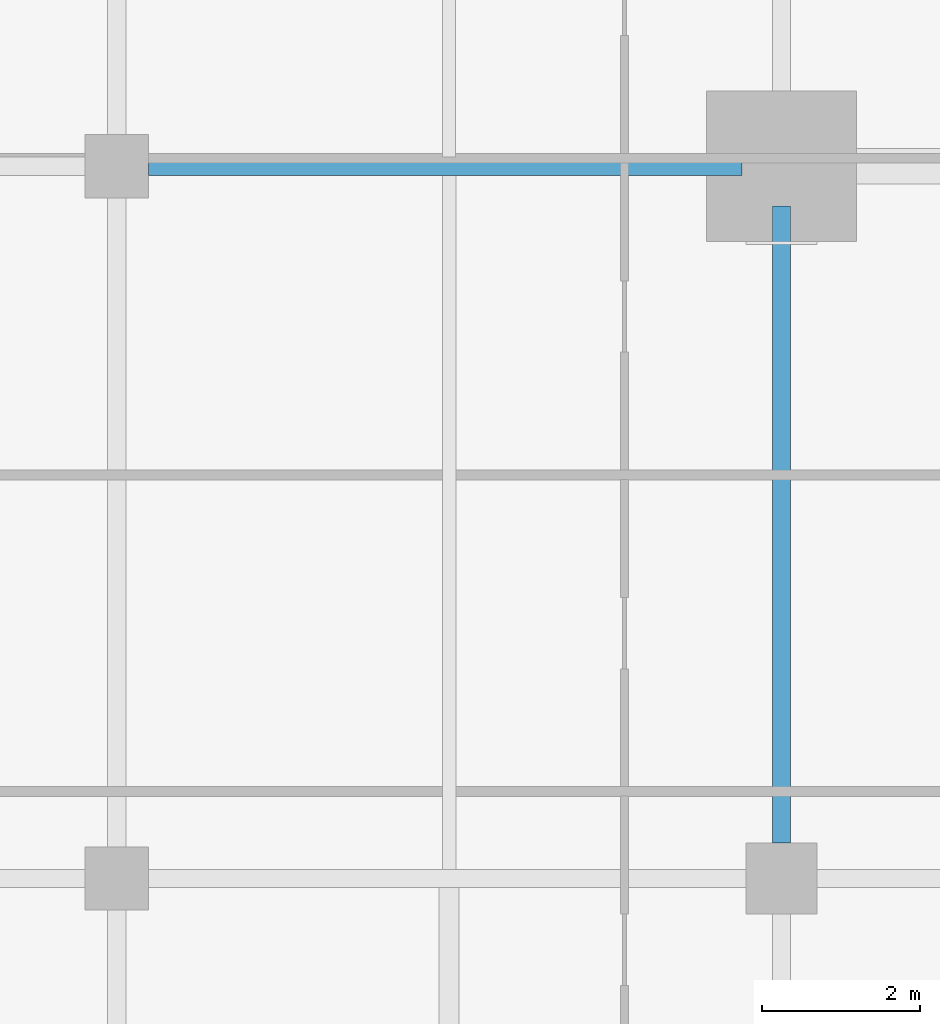
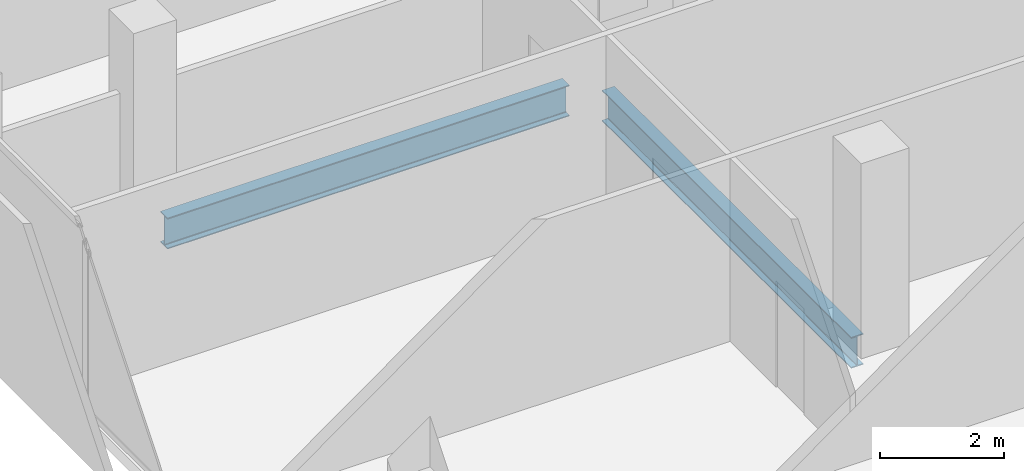
# One storey, part 9 of 34: 2 beams.
"""IFC4 building model written with IfcOpenShell, lengths in metres."""

from ifc_helpers import new_model, si_unit, direction, frame, origin, origin_2d, place, context, subcontext, project, spatial, i_section, extrude, material, material_profile, profile_set, type_object, element, save


model = new_model("IFC4")

# Units and contexts
model_context = context("Model", 3, precision=1e-05, world=origin(), true_north=direction((0.0, 1.0)))
body_context = subcontext(model_context, "Body", "Model", "MODEL_VIEW")
ifc_project = project(units=[si_unit("LENGTHUNIT", "METRE"), si_unit("AREAUNIT", "SQUARE_METRE"), si_unit("VOLUMEUNIT", "CUBIC_METRE"), si_unit("PLANEANGLEUNIT", "RADIAN"), si_unit("MASSUNIT", "GRAM", prefix="KILO")], contexts=[model_context])

# Site, building, storey
site_placement = place(None, origin())
site = spatial("IfcSite", under=ifc_project, at=site_placement, CompositionType="ELEMENT")
building_placement = place(site_placement, origin())
building = spatial("IfcBuilding", under=site, at=building_placement, Name="Maruvema Waterfront Hotel and Observation Tower", CompositionType="ELEMENT")
storey_placement = place(building_placement, frame((0.0, 0.0, 135.10009765625)))
storey = spatial("IfcBuildingStorey", under=building, at=storey_placement, Name="L32", CompositionType="ELEMENT", Elevation=135.10009765625)

# Beams
ifc_material = material(Name="Steel ASTM A572 Grade 50", Category="steel")
ifc_material_profile = material_profile(ifc_material, i_section(OverallWidth=0.22900390625, OverallDepth=0.612060546875, WebThickness=0.011962890625, FlangeThickness=0.01953125, FilletRadius=0.01806640625, at=origin_2d()), Name="W610x125.0")
ifc_profile_set = profile_set([ifc_material_profile], Name="Steel ASTM A572 Grade 50")
beam_type = type_object("IfcBeamType", Name="Primary Floor Girder W610x125.0", PredefinedType="BEAM", material=ifc_profile_set)
beam_1_placement = place(storey_placement, frame((17.199951171875, 27.0, -0.546142578125), z_axis=(1.0, 0.0, 0.0), x_axis=(0.0, 1.0, 0.0)))
element("IfcBeam", 1, at=beam_1_placement, inside=storey, type_object=beam_type, Name="L32 Floor Girder EW-19", PredefinedType="BEAM", context=body_context, shape_type="SweptSolid", body=[
    extrude(i_section(OverallWidth=0.22900390625, OverallDepth=0.612060546875, WebThickness=0.011962890625, FlangeThickness=0.01953125, FilletRadius=0.01806640625, at=origin_2d()), origin(), (0.0, 0.0, 1.0), 7.5),
])
beam_2_placement = place(storey_placement, frame((25.199951171875, 18.449951171875, -0.546142578125), z_axis=(0.0, 1.0, 0.0), x_axis=(-1.0, 0.0, 0.0)))
element("IfcBeam", 2, at=beam_2_placement, inside=storey, type_object=beam_type, Name="L32 Floor Girder NS-11", PredefinedType="BEAM", context=body_context, shape_type="SweptSolid", body=[
    extrude(i_section(OverallWidth=0.22900390625, OverallDepth=0.612060546875, WebThickness=0.011962890625, FlangeThickness=0.01953125, FilletRadius=0.01806640625, at=origin_2d()), origin(), (0.0, 0.0, 1.0), 8.050048828125),
])

save(model, "model.ifc")
